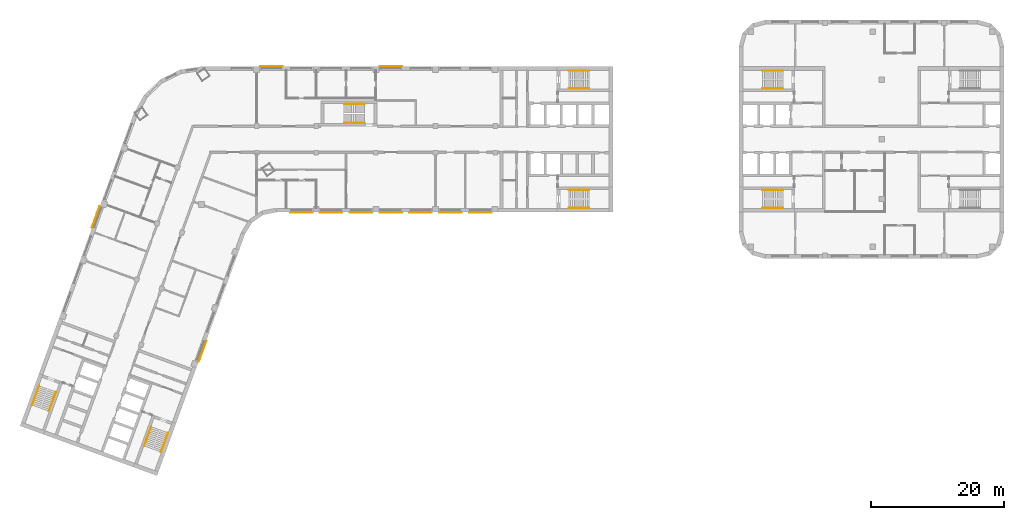
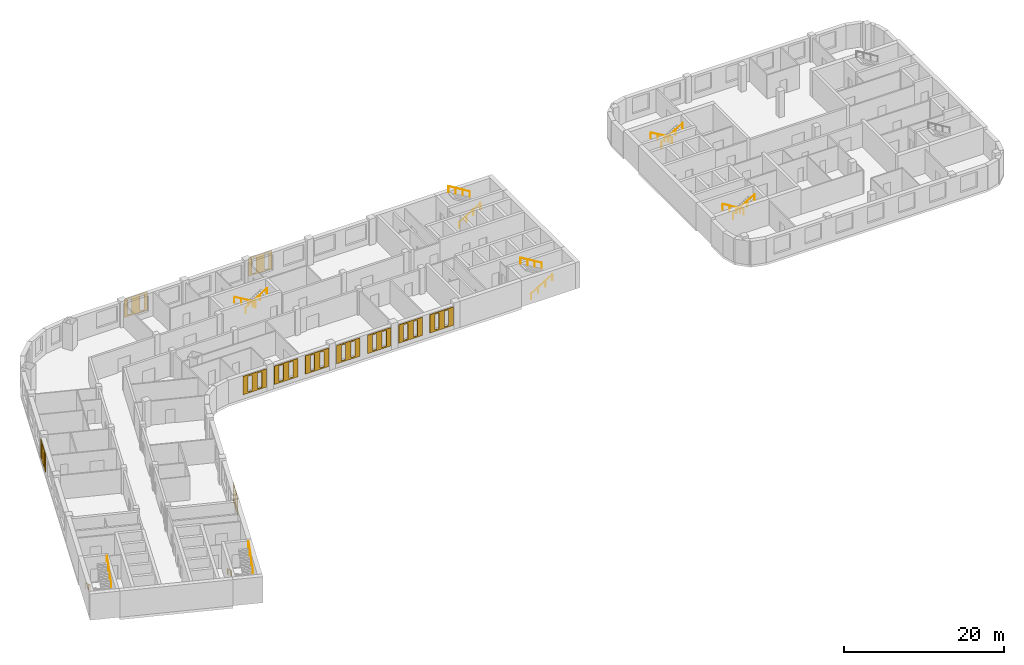
# One storey, part 11 of 12: 14 railings, 11 coverings.
"""IFC4 building model written with IfcOpenShell, lengths in metres."""

from ifc_helpers import new_model, si_unit, direction, frame, origin, origin_2d, place, context, subcontext, project, spatial, polyline, circle, outline, extrude, material, material_profile, profile_set, type_object, element, save


model = new_model("IFC4")

# Units and contexts
model_context = context("Model", 3, precision=1e-05, world=origin(), true_north=direction((0.0, 1.0)))
body_context = subcontext(model_context, "Body", "Model", "MODEL_VIEW")
ifc_project = project(units=[si_unit("LENGTHUNIT", "METRE"), si_unit("AREAUNIT", "SQUARE_METRE"), si_unit("VOLUMEUNIT", "CUBIC_METRE"), si_unit("PLANEANGLEUNIT", "RADIAN"), si_unit("MASSUNIT", "GRAM", prefix="KILO")], contexts=[model_context])

# Site, building, storey
site_placement = place(None, origin())
site = spatial("IfcSite", under=ifc_project, at=site_placement, CompositionType="ELEMENT")
building_placement = place(site_placement, origin())
building = spatial("IfcBuilding", under=site, at=building_placement, Name="Skarvind Civic Tower", CompositionType="ELEMENT")
storey_placement = place(building_placement, frame((0.0, 0.0, 39.5)))
storey = spatial("IfcBuildingStorey", under=building, at=storey_placement, Name="L08", CompositionType="ELEMENT", Elevation=39.5)

# Railings
ifc_material_1 = material(Name="Painted steel handrail", Category="steel")
railing_type = type_object("IfcRailingType", Name="Stair handrail 900", PredefinedType="HANDRAIL", material=ifc_material_1)
railing_1_placement = place(storey_placement, frame((101.35009765625, 135.64990234375, 0.166748046875)))
element("IfcRailing", 1, at=railing_1_placement, inside=storey, type_object=railing_type, Name="Stair handrail", PredefinedType="HANDRAIL", context=body_context, shape_type="SweptSolid", body=[
    extrude(circle(Radius=0.02392578125, at=origin_2d()), frame((0.0, 0.0, 0.8759765625), z_axis=(0.859290745958, 0.0, 0.51148745235), x_axis=(0.0, 1.0, 0.0)), (0.0, 0.0, 1.0), 3.584228515625),
    extrude(circle(Radius=0.02099609375, at=origin_2d()), origin(), (0.0, 0.0, 1.0), 0.851806640625),
    extrude(circle(Radius=0.02099609375, at=origin_2d()), frame((1.026611328125, 0.0, 0.611083984375)), (0.0, 0.0, 1.0), 0.851806640625),
    extrude(circle(Radius=0.02099609375, at=origin_2d()), frame((2.05322265625, 0.0, 1.22216796875)), (0.0, 0.0, 1.0), 0.851806640625),
    extrude(circle(Radius=0.02099609375, at=origin_2d()), frame((3.079833984375, 0.0, 1.833251953125)), (0.0, 0.0, 1.0), 0.851806640625),
])
railing_2_placement = place(storey_placement, frame((104.429931640625, 138.35009765625, 2.166748046875)))
element("IfcRailing", 2, at=railing_2_placement, inside=storey, type_object=railing_type, Name="Stair handrail", PredefinedType="HANDRAIL", context=body_context, shape_type="SweptSolid", body=[
    extrude(circle(Radius=0.02392578125, at=origin_2d()), frame((0.0, 0.0, 0.8759765625), z_axis=(-0.859290745958, 0.0, 0.51148745235), x_axis=(0.0, -1.0, 0.0)), (0.0, 0.0, 1.0), 3.584228515625),
    extrude(circle(Radius=0.02099609375, at=origin_2d()), origin(), (0.0, 0.0, 1.0), 0.851806640625),
    extrude(circle(Radius=0.02099609375, at=origin_2d()), frame((-1.026611328125, 0.0, 0.611083984375)), (0.0, 0.0, 1.0), 0.851806640625),
    extrude(circle(Radius=0.02099609375, at=origin_2d()), frame((-2.05322265625, 0.0, 1.22216796875)), (0.0, 0.0, 1.0), 0.851806640625),
    extrude(circle(Radius=0.02099609375, at=origin_2d()), frame((-3.079833984375, 0.0, 1.833251953125)), (0.0, 0.0, 1.0), 0.851806640625),
])
railing_3_placement = place(storey_placement, frame((101.35009765625, 117.64990234375, 0.166748046875)))
element("IfcRailing", 3, at=railing_3_placement, inside=storey, type_object=railing_type, Name="Stair handrail", PredefinedType="HANDRAIL", context=body_context, shape_type="SweptSolid", body=[
    extrude(circle(Radius=0.02392578125, at=origin_2d()), frame((0.0, 0.0, 0.8759765625), z_axis=(0.859290745958, 0.0, 0.51148745235), x_axis=(0.0, 1.0, 0.0)), (0.0, 0.0, 1.0), 3.584228515625),
    extrude(circle(Radius=0.02099609375, at=origin_2d()), origin(), (0.0, 0.0, 1.0), 0.851806640625),
    extrude(circle(Radius=0.02099609375, at=origin_2d()), frame((1.026611328125, 0.0, 0.611083984375)), (0.0, 0.0, 1.0), 0.851806640625),
    extrude(circle(Radius=0.02099609375, at=origin_2d()), frame((2.05322265625, 0.0, 1.22216796875)), (0.0, 0.0, 1.0), 0.851806640625),
    extrude(circle(Radius=0.02099609375, at=origin_2d()), frame((3.079833984375, 0.0, 1.833251953125)), (0.0, 0.0, 1.0), 0.851806640625),
])
railing_4_placement = place(storey_placement, frame((104.429931640625, 120.35009765625, 2.166748046875)))
element("IfcRailing", 4, at=railing_4_placement, inside=storey, type_object=railing_type, Name="Stair handrail", PredefinedType="HANDRAIL", context=body_context, shape_type="SweptSolid", body=[
    extrude(circle(Radius=0.02392578125, at=origin_2d()), frame((0.0, 0.0, 0.8759765625), z_axis=(-0.859290745958, 0.0, 0.51148745235), x_axis=(0.0, -1.0, 0.0)), (0.0, 0.0, 1.0), 3.584228515625),
    extrude(circle(Radius=0.02099609375, at=origin_2d()), origin(), (0.0, 0.0, 1.0), 0.851806640625),
    extrude(circle(Radius=0.02099609375, at=origin_2d()), frame((-1.026611328125, 0.0, 0.611083984375)), (0.0, 0.0, 1.0), 0.851806640625),
    extrude(circle(Radius=0.02099609375, at=origin_2d()), frame((-2.05322265625, 0.0, 1.22216796875)), (0.0, 0.0, 1.0), 0.851806640625),
    extrude(circle(Radius=0.02099609375, at=origin_2d()), frame((-3.079833984375, 0.0, 1.833251953125)), (0.0, 0.0, 1.0), 0.851806640625),
])
railing_5_placement = place(storey_placement, frame((38.362060546875, 84.64794921875, 0.166748046875)))
element("IfcRailing", 5, at=railing_5_placement, inside=storey, type_object=railing_type, Name="Stair handrail", PredefinedType="HANDRAIL", context=body_context, shape_type="SweptSolid", body=[
    extrude(circle(Radius=0.02392578125, at=origin_2d()), frame((0.0, 0.0, 0.8759765625), z_axis=(-0.293908055923, -0.807480881337, 0.511461319103), x_axis=(0.939689235759, -0.342029443467, 0.0)), (0.0, 0.0, 1.0), 3.584228515625),
    extrude(circle(Radius=0.02099609375, at=origin_2d()), origin(), (0.0, 0.0, 1.0), 0.851806640625),
    extrude(circle(Radius=0.02099609375, at=origin_2d()), frame((-0.35107421875, -0.96484375, 0.611083984375)), (0.0, 0.0, 1.0), 0.851806640625),
    extrude(circle(Radius=0.02099609375, at=origin_2d()), frame((-0.702392578125, -1.929443359375, 1.22216796875)), (0.0, 0.0, 1.0), 0.851806640625),
    extrude(circle(Radius=0.02099609375, at=origin_2d()), frame((-1.053466796875, -2.894287109375, 1.833251953125)), (0.0, 0.0, 1.0), 0.851806640625),
])
railing_6_placement = place(storey_placement, frame((39.845703125, 80.830078125, 2.166748046875)))
element("IfcRailing", 6, at=railing_6_placement, inside=storey, type_object=railing_type, Name="Stair handrail", PredefinedType="HANDRAIL", context=body_context, shape_type="SweptSolid", body=[
    extrude(circle(Radius=0.02392578125, at=origin_2d()), frame((0.0, 0.0, 0.8759765625), z_axis=(0.293908055923, 0.807480881337, 0.511461319103), x_axis=(-0.939689235759, 0.342029443467, 0.0)), (0.0, 0.0, 1.0), 3.584228515625),
    extrude(circle(Radius=0.02099609375, at=origin_2d()), origin(), (0.0, 0.0, 1.0), 0.851806640625),
    extrude(circle(Radius=0.02099609375, at=origin_2d()), frame((0.35107421875, 0.96484375, 0.611083984375)), (0.0, 0.0, 1.0), 0.851806640625),
    extrude(circle(Radius=0.02099609375, at=origin_2d()), frame((0.702392578125, 1.929443359375, 1.22216796875)), (0.0, 0.0, 1.0), 0.851806640625),
    extrude(circle(Radius=0.02099609375, at=origin_2d()), frame((1.053466796875, 2.894287109375, 1.833251953125)), (0.0, 0.0, 1.0), 0.851806640625),
])
railing_7_placement = place(storey_placement, frame((21.447509765625, 90.80419921875, 0.166748046875)))
element("IfcRailing", 7, at=railing_7_placement, inside=storey, type_object=railing_type, Name="Stair handrail", PredefinedType="HANDRAIL", context=body_context, shape_type="SweptSolid", body=[
    extrude(circle(Radius=0.02392578125, at=origin_2d()), frame((0.0, 0.0, 0.8759765625), z_axis=(-0.293845824691, -0.807497044902, 0.511471557163), x_axis=(0.939714709796, -0.34195944817, 0.0)), (0.0, 0.0, 1.0), 3.584228515625),
    extrude(circle(Radius=0.02099609375, at=origin_2d()), origin(), (0.0, 0.0, 1.0), 0.851806640625),
    extrude(circle(Radius=0.02099609375, at=origin_2d()), frame((-0.35107421875, -0.96484375, 0.611083984375)), (0.0, 0.0, 1.0), 0.851806640625),
    extrude(circle(Radius=0.02099609375, at=origin_2d()), frame((-0.7021484375, -1.929443359375, 1.22216796875)), (0.0, 0.0, 1.0), 0.851806640625),
    extrude(circle(Radius=0.02099609375, at=origin_2d()), frame((-1.05322265625, -2.894287109375, 1.833251953125)), (0.0, 0.0, 1.0), 0.851806640625),
])
railing_8_placement = place(storey_placement, frame((22.931396484375, 86.986572265625, 2.166748046875)))
element("IfcRailing", 8, at=railing_8_placement, inside=storey, type_object=railing_type, Name="Stair handrail", PredefinedType="HANDRAIL", context=body_context, shape_type="SweptSolid", body=[
    extrude(circle(Radius=0.02392578125, at=origin_2d()), frame((0.0, 0.0, 0.8759765625), z_axis=(0.293908055923, 0.807480881337, 0.511461319103), x_axis=(-0.939689235759, 0.342029443467, 0.0)), (0.0, 0.0, 1.0), 3.584228515625),
    extrude(circle(Radius=0.02099609375, at=origin_2d()), origin(), (0.0, 0.0, 1.0), 0.851806640625),
    extrude(circle(Radius=0.02099609375, at=origin_2d()), frame((0.35107421875, 0.96484375, 0.611083984375)), (0.0, 0.0, 1.0), 0.851806640625),
    extrude(circle(Radius=0.02099609375, at=origin_2d()), frame((0.702392578125, 1.929443359375, 1.22216796875)), (0.0, 0.0, 1.0), 0.851806640625),
    extrude(circle(Radius=0.02099609375, at=origin_2d()), frame((1.053466796875, 2.894287109375, 1.833251953125)), (0.0, 0.0, 1.0), 0.851806640625),
])
railing_9_placement = place(storey_placement, frame((133.64990234375, 120.35009765625, 0.166748046875)))
element("IfcRailing", 9, at=railing_9_placement, inside=storey, type_object=railing_type, Name="Stair handrail", PredefinedType="HANDRAIL", context=body_context, shape_type="SweptSolid", body=[
    extrude(circle(Radius=0.02392578125, at=origin_2d()), frame((0.0, 0.0, 0.8759765625), z_axis=(-0.859290745958, 0.0, 0.51148745235), x_axis=(0.0, -1.0, 0.0)), (0.0, 0.0, 1.0), 3.584228515625),
    extrude(circle(Radius=0.02099609375, at=origin_2d()), origin(), (0.0, 0.0, 1.0), 0.851806640625),
    extrude(circle(Radius=0.02099609375, at=origin_2d()), frame((-1.026611328125, 0.0, 0.611083984375)), (0.0, 0.0, 1.0), 0.851806640625),
    extrude(circle(Radius=0.02099609375, at=origin_2d()), frame((-2.05322265625, 0.0, 1.22216796875)), (0.0, 0.0, 1.0), 0.851806640625),
    extrude(circle(Radius=0.02099609375, at=origin_2d()), frame((-3.079833984375, 0.0, 1.833251953125)), (0.0, 0.0, 1.0), 0.851806640625),
])
railing_10_placement = place(storey_placement, frame((130.570068359375, 117.64990234375, 2.166748046875)))
element("IfcRailing", 10, at=railing_10_placement, inside=storey, type_object=railing_type, Name="Stair handrail", PredefinedType="HANDRAIL", context=body_context, shape_type="SweptSolid", body=[
    extrude(circle(Radius=0.02392578125, at=origin_2d()), frame((0.0, 0.0, 0.8759765625), z_axis=(0.859290745958, 0.0, 0.51148745235), x_axis=(0.0, 1.0, 0.0)), (0.0, 0.0, 1.0), 3.584228515625),
    extrude(circle(Radius=0.02099609375, at=origin_2d()), origin(), (0.0, 0.0, 1.0), 0.851806640625),
    extrude(circle(Radius=0.02099609375, at=origin_2d()), frame((1.026611328125, 0.0, 0.611083984375)), (0.0, 0.0, 1.0), 0.851806640625),
    extrude(circle(Radius=0.02099609375, at=origin_2d()), frame((2.05322265625, 0.0, 1.22216796875)), (0.0, 0.0, 1.0), 0.851806640625),
    extrude(circle(Radius=0.02099609375, at=origin_2d()), frame((3.079833984375, 0.0, 1.833251953125)), (0.0, 0.0, 1.0), 0.851806640625),
])
railing_11_placement = place(storey_placement, frame((133.64990234375, 138.35009765625, 0.166748046875)))
element("IfcRailing", 11, at=railing_11_placement, inside=storey, type_object=railing_type, Name="Stair handrail", PredefinedType="HANDRAIL", context=body_context, shape_type="SweptSolid", body=[
    extrude(circle(Radius=0.02392578125, at=origin_2d()), frame((0.0, 0.0, 0.8759765625), z_axis=(-0.859290745958, 0.0, 0.51148745235), x_axis=(0.0, -1.0, 0.0)), (0.0, 0.0, 1.0), 3.584228515625),
    extrude(circle(Radius=0.02099609375, at=origin_2d()), origin(), (0.0, 0.0, 1.0), 0.851806640625),
    extrude(circle(Radius=0.02099609375, at=origin_2d()), frame((-1.026611328125, 0.0, 0.611083984375)), (0.0, 0.0, 1.0), 0.851806640625),
    extrude(circle(Radius=0.02099609375, at=origin_2d()), frame((-2.05322265625, 0.0, 1.22216796875)), (0.0, 0.0, 1.0), 0.851806640625),
    extrude(circle(Radius=0.02099609375, at=origin_2d()), frame((-3.079833984375, 0.0, 1.833251953125)), (0.0, 0.0, 1.0), 0.851806640625),
])
railing_12_placement = place(storey_placement, frame((130.570068359375, 135.64990234375, 2.166748046875)))
element("IfcRailing", 12, at=railing_12_placement, inside=storey, type_object=railing_type, Name="Stair handrail", PredefinedType="HANDRAIL", context=body_context, shape_type="SweptSolid", body=[
    extrude(circle(Radius=0.02392578125, at=origin_2d()), frame((0.0, 0.0, 0.8759765625), z_axis=(0.859290745958, 0.0, 0.51148745235), x_axis=(0.0, 1.0, 0.0)), (0.0, 0.0, 1.0), 3.584228515625),
    extrude(circle(Radius=0.02099609375, at=origin_2d()), origin(), (0.0, 0.0, 1.0), 0.851806640625),
    extrude(circle(Radius=0.02099609375, at=origin_2d()), frame((1.026611328125, 0.0, 0.611083984375)), (0.0, 0.0, 1.0), 0.851806640625),
    extrude(circle(Radius=0.02099609375, at=origin_2d()), frame((2.05322265625, 0.0, 1.22216796875)), (0.0, 0.0, 1.0), 0.851806640625),
    extrude(circle(Radius=0.02099609375, at=origin_2d()), frame((3.079833984375, 0.0, 1.833251953125)), (0.0, 0.0, 1.0), 0.851806640625),
])
railing_13_placement = place(storey_placement, frame((70.550048828125, 133.35009765625, 0.166748046875)))
element("IfcRailing", 13, at=railing_13_placement, inside=storey, type_object=railing_type, Name="Stair handrail", PredefinedType="HANDRAIL", context=body_context, shape_type="SweptSolid", body=[
    extrude(circle(Radius=0.02392578125, at=origin_2d()), frame((0.0, 0.0, 0.8759765625), z_axis=(-0.859308565015, 0.0, 0.511457515432), x_axis=(0.0, -1.0, 0.0)), (0.0, 0.0, 1.0), 3.58447265625),
    extrude(circle(Radius=0.02099609375, at=origin_2d()), origin(), (0.0, 0.0, 1.0), 0.851806640625),
    extrude(circle(Radius=0.02099609375, at=origin_2d()), frame((-1.026611328125, 0.0, 0.611083984375)), (0.0, 0.0, 1.0), 0.851806640625),
    extrude(circle(Radius=0.02099609375, at=origin_2d()), frame((-2.053466796875, 0.0, 1.22216796875)), (0.0, 0.0, 1.0), 0.851806640625),
    extrude(circle(Radius=0.02099609375, at=origin_2d()), frame((-3.080078125, 0.0, 1.833251953125)), (0.0, 0.0, 1.0), 0.851806640625),
])
railing_14_placement = place(storey_placement, frame((67.469970703125, 130.449951171875, 2.166748046875)))
element("IfcRailing", 14, at=railing_14_placement, inside=storey, type_object=railing_type, Name="Stair handrail", PredefinedType="HANDRAIL", context=body_context, shape_type="SweptSolid", body=[
    extrude(circle(Radius=0.02392578125, at=origin_2d()), frame((0.0, 0.0, 0.8759765625), z_axis=(0.859308565015, 0.0, 0.511457515432), x_axis=(0.0, 1.0, 0.0)), (0.0, 0.0, 1.0), 3.58447265625),
    extrude(circle(Radius=0.02099609375, at=origin_2d()), origin(), (0.0, 0.0, 1.0), 0.851806640625),
    extrude(circle(Radius=0.02099609375, at=origin_2d()), frame((1.026611328125, 0.0, 0.611083984375)), (0.0, 0.0, 1.0), 0.851806640625),
    extrude(circle(Radius=0.02099609375, at=origin_2d()), frame((2.053466796875, 0.0, 1.22216796875)), (0.0, 0.0, 1.0), 0.851806640625),
    extrude(circle(Radius=0.02099609375, at=origin_2d()), frame((3.080078125, 0.0, 1.833251953125)), (0.0, 0.0, 1.0), 0.851806640625),
])

# Coverings
ifc_material_2 = material(Name="Terracotta", Category="masonry")
ifc_material_profile_1 = material_profile(ifc_material_2, outline(polyline([(-1.699951171875, -1.39990234375), (1.699951171875, -1.39990234375), (1.699951171875, 1.39990234375), (-1.699951171875, 1.39990234375), (-1.699951171875, -1.39990234375)]), holes=[polyline([(-1.0, -1.18994140625), (-0.39990234375, -1.18994140625), (-0.39990234375, 1.18994140625), (-1.0, 1.18994140625), (-1.0, -1.18994140625)]), polyline([(0.39990234375, -1.18994140625), (1.0, -1.18994140625), (1.0, 1.18994140625), (0.39990234375, 1.18994140625), (0.39990234375, -1.18994140625)])]), Name="TERRACOTTA SCREEN 3400 x 2800, SLIT PITCH 1400")
ifc_profile_set_1 = profile_set([ifc_material_profile_1], Name="Terracotta")
covering_type_1 = type_object("IfcCoveringType", Name="TERRACOTTA SCREEN 3400 x 2800, SLIT PITCH 1400", PredefinedType="CLADDING", material=ifc_profile_set_1)
for number, where, z_axis, x_axis, name in (
    (15, (88.0, 117.0, 2.10009765625), (0.0, -1.0, 0.0), (1.0, 0.0, 0.0), "TERRACOTTA SCREEN"),
    (16, (83.5, 117.0, 2.10009765625), (0.0, -1.0, 0.0), (1.0, 0.0, 0.0), "TERRACOTTA SCREEN"),
    (17, (79.0, 117.0, 2.10009765625), (0.0, -1.0, 0.0), (1.0, 0.0, 0.0), "TERRACOTTA SCREEN"),
    (18, (74.5, 117.0, 2.10009765625), (0.0, -1.0, 0.0), (1.0, 0.0, 0.0), "TERRACOTTA SCREEN"),
    (19, (70.0, 117.0, 2.10009765625), (0.0, -1.0, 0.0), (1.0, 0.0, 0.0), "TERRACOTTA SCREEN"),
    (20, (65.5, 117.0, 2.10009765625), (0.0, -1.0, 0.0), (1.0, 0.0, 0.0), "TERRACOTTA SCREEN"),
    (21, (61.0, 117.0, 2.10009765625), (0.0, -1.0, 0.0), (1.0, 0.0, 0.0), "TERRACOTTA SCREEN"),
):
    element("IfcCovering", number, at=place(storey_placement, frame(where, z_axis=z_axis, x_axis=x_axis)), inside=storey, type_object=covering_type_1, Name=name, PredefinedType="CLADDING", context=body_context, shape_type="SweptSolid", body=[
        extrude(outline(polyline([(-1.699951171875, -1.39990234375), (1.699951171875, -1.39990234375), (1.699951171875, 1.39990234375), (-1.699951171875, 1.39990234375), (-1.699951171875, -1.39990234375)]), holes=[polyline([(-1.0, -1.18994140625), (-0.39990234375, -1.18994140625), (-0.39990234375, 1.18994140625), (-1.0, 1.18994140625), (-1.0, -1.18994140625)]), polyline([(0.39990234375, -1.18994140625), (1.0, -1.18994140625), (1.0, 1.18994140625), (0.39990234375, 1.18994140625), (0.39990234375, -1.18994140625)])]), origin(), (0.0, 0.0, 1.0), 0.06005859375),
    ])
ifc_material_profile_2 = material_profile(ifc_material_2, outline(polyline([(-1.699951171875, -1.39990234375), (1.699951171875, -1.39990234375), (1.699951171875, 1.39990234375), (-1.699951171875, 1.39990234375), (-1.699951171875, -1.39990234375)]), holes=[polyline([(-1.199951171875, -1.18994140625), (-0.60009765625, -1.18994140625), (-0.60009765625, 1.18994140625), (-1.199951171875, 1.18994140625), (-1.199951171875, -1.18994140625)]), polyline([(0.60009765625, -1.18994140625), (1.199951171875, -1.18994140625), (1.199951171875, 1.18994140625), (0.60009765625, 1.18994140625), (0.60009765625, -1.18994140625)])]), Name="TERRACOTTA SCREEN 3400 x 2800, SLIT PITCH 1800")
ifc_profile_set_2 = profile_set([ifc_material_profile_2], Name="Terracotta")
covering_type_2 = type_object("IfcCoveringType", Name="TERRACOTTA SCREEN 3400 x 2800, SLIT PITCH 1800", PredefinedType="CLADDING", material=ifc_profile_set_2)
for number, where, z_axis, x_axis, name in (
    (22, (46.075927734375, 96.047119140625, 2.10009765625), (0.939793423488, -0.341743063087, 0.0), (0.341743063087, 0.939793423488, 0.0), "TERRACOTTA SCREEN"),
    (23, (56.5, 139.0, 2.10009765625), (0.0, 1.0, 0.0), (-1.0, 0.0, 0.0), "TERRACOTTA SCREEN"),
    (24, (74.5, 139.0, 2.10009765625), (0.0, 1.0, 0.0), (-1.0, 0.0, 0.0), "TERRACOTTA SCREEN"),
    (25, (30.02001953125, 116.25732421875, 2.10009765625), (-0.939793423488, 0.341743063087, 0.0), (-0.341743063087, -0.939793423488, 0.0), "TERRACOTTA SCREEN"),
):
    element("IfcCovering", number, at=place(storey_placement, frame(where, z_axis=z_axis, x_axis=x_axis)), inside=storey, type_object=covering_type_2, Name=name, PredefinedType="CLADDING", context=body_context, shape_type="SweptSolid", body=[
        extrude(outline(polyline([(-1.699951171875, -1.39990234375), (1.699951171875, -1.39990234375), (1.699951171875, 1.39990234375), (-1.699951171875, 1.39990234375), (-1.699951171875, -1.39990234375)]), holes=[polyline([(-1.199951171875, -1.18994140625), (-0.60009765625, -1.18994140625), (-0.60009765625, 1.18994140625), (-1.199951171875, 1.18994140625), (-1.199951171875, -1.18994140625)]), polyline([(0.60009765625, -1.18994140625), (1.199951171875, -1.18994140625), (1.199951171875, 1.18994140625), (0.60009765625, 1.18994140625), (0.60009765625, -1.18994140625)])]), origin(), (0.0, 0.0, 1.0), 0.06005859375),
    ])

save(model, "model.ifc")
